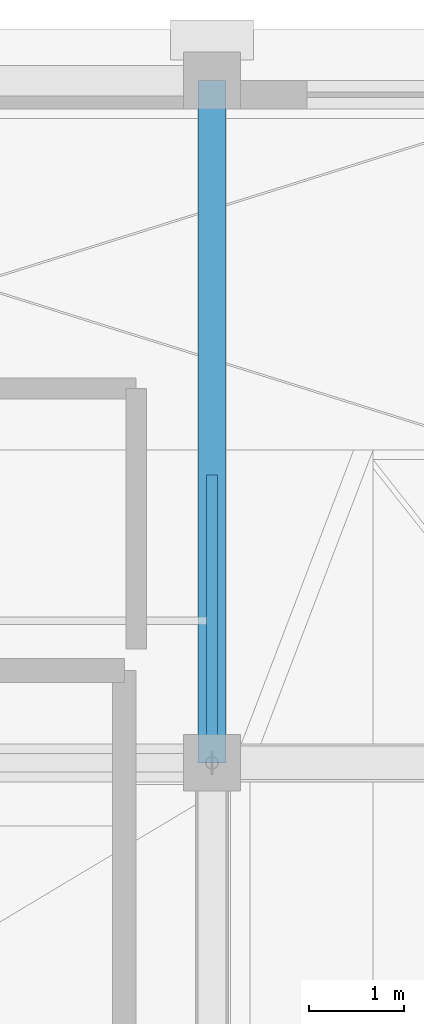
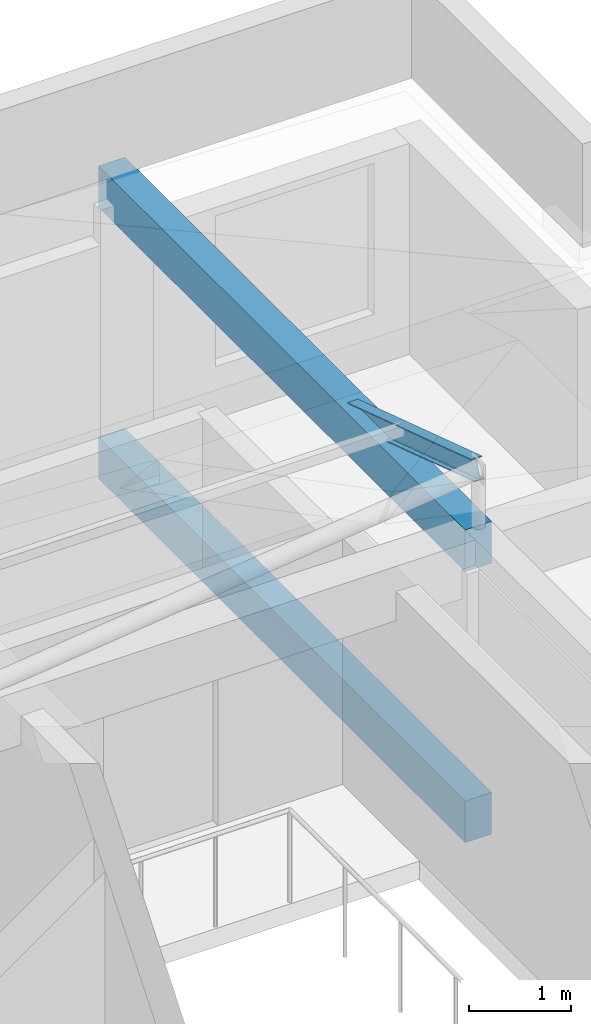
# One storey, part 19 of 39: 2 beams, 1 member.
"""IFC4 building model written with IfcOpenShell, lengths in metres."""

from ifc_helpers import new_model, si_unit, direction, frame, origin, origin_2d, place, context, subcontext, project, spatial, rectangle, i_section, extrude, material, material_profile, profile_set, type_object, element, save


model = new_model("IFC4")

# Units and contexts
model_context = context("Model", 3, precision=1e-05, world=origin(), true_north=direction((0.0, 1.0)))
body_context = subcontext(model_context, "Body", "Model", "MODEL_VIEW")
ifc_project = project(units=[si_unit("LENGTHUNIT", "METRE"), si_unit("AREAUNIT", "SQUARE_METRE"), si_unit("VOLUMEUNIT", "CUBIC_METRE"), si_unit("PLANEANGLEUNIT", "RADIAN"), si_unit("MASSUNIT", "GRAM", prefix="KILO")], contexts=[model_context])

# Site, building, storey
site_placement = place(None, origin())
site = spatial("IfcSite", under=ifc_project, at=site_placement, CompositionType="ELEMENT")
building_placement = place(site_placement, origin())
building = spatial("IfcBuilding", under=site, at=building_placement, Name="Akrevak Sports Hall", CompositionType="ELEMENT")
storey_placement = place(building_placement, frame((0.0, 0.0, 66.550048828125)))
storey = spatial("IfcBuildingStorey", under=building, at=storey_placement, Name="L17", CompositionType="ELEMENT", Elevation=66.550048828125)

# Beams
ifc_material_1 = material(Name="Concrete C40/50", Category="concrete")
ifc_material_profile_1 = material_profile(ifc_material_1, rectangle(XDim=0.300048828125, YDim=0.5, at=origin_2d()), Name="BM 300x500", Category="concrete")
ifc_profile_set_1 = profile_set([ifc_material_profile_1], Name="Concrete C40/50")
beam_type = type_object("IfcBeamType", Name="STR-BM-RC300x500", PredefinedType="BEAM", material=ifc_profile_set_1)
for number, where, z_axis, x_axis, name in (
    (1, (100.0, 62.39990234375, -0.25), (0.0, 1.0, 0.0), (-1.0, 0.0, 0.0), "Girder 14/J-K (L17)"),
    (2, (100.0, 62.39990234375, 3.0), (0.0, 1.0, 0.0), (-1.0, 0.0, 0.0), "Girder 14/J-K (ROOF)"),
):
    element("IfcBeam", number, at=place(storey_placement, frame(where, z_axis=z_axis, x_axis=x_axis)), inside=storey, type_object=beam_type, Name=name, PredefinedType="BEAM", context=body_context, shape_type="SweptSolid", body=[
        extrude(rectangle(XDim=0.300048828125, YDim=0.5, at=origin_2d()), origin(), (0.0, 0.0, 1.0), 7.2001953125),
    ])

# Member
ifc_material_2 = material(Name="Steel S355", Category="steel")
ifc_material_profile_2 = material_profile(ifc_material_2, i_section(OverallWidth=0.1201171875, OverallDepth=0.239990234375, WebThickness=0.006103515625, FlangeThickness=0.009765625, FilletRadius=0.014892578125, at=origin_2d()), Name="IPE 240", Category="steel")
ifc_profile_set_2 = profile_set([ifc_material_profile_2], Name="Steel S355")
member_type = type_object("IfcMemberType", Name="STR-MEM-RAF-IPE240", PredefinedType="RAFTER", material=ifc_profile_set_2)
member_placement = place(storey_placement, frame((100.0, 65.39990234375, 2.949951171875), z_axis=(0.0, -0.950569114948, 0.310513055615), x_axis=(1.0, 0.0, 0.0)))
element("IfcMember", 3, at=member_placement, inside=storey, type_object=member_type, Name="Mansard Steel Rafter MANS-E-N-100", PredefinedType="RAFTER", context=body_context, shape_type="SweptSolid", body=[
    extrude(i_section(OverallWidth=0.1201171875, OverallDepth=0.239990234375, WebThickness=0.006103515625, FlangeThickness=0.009765625, FilletRadius=0.014892578125, at=origin_2d()), origin(), (0.0, 0.0, 1.0), 3.156005859375),
])

save(model, "model.ifc")
